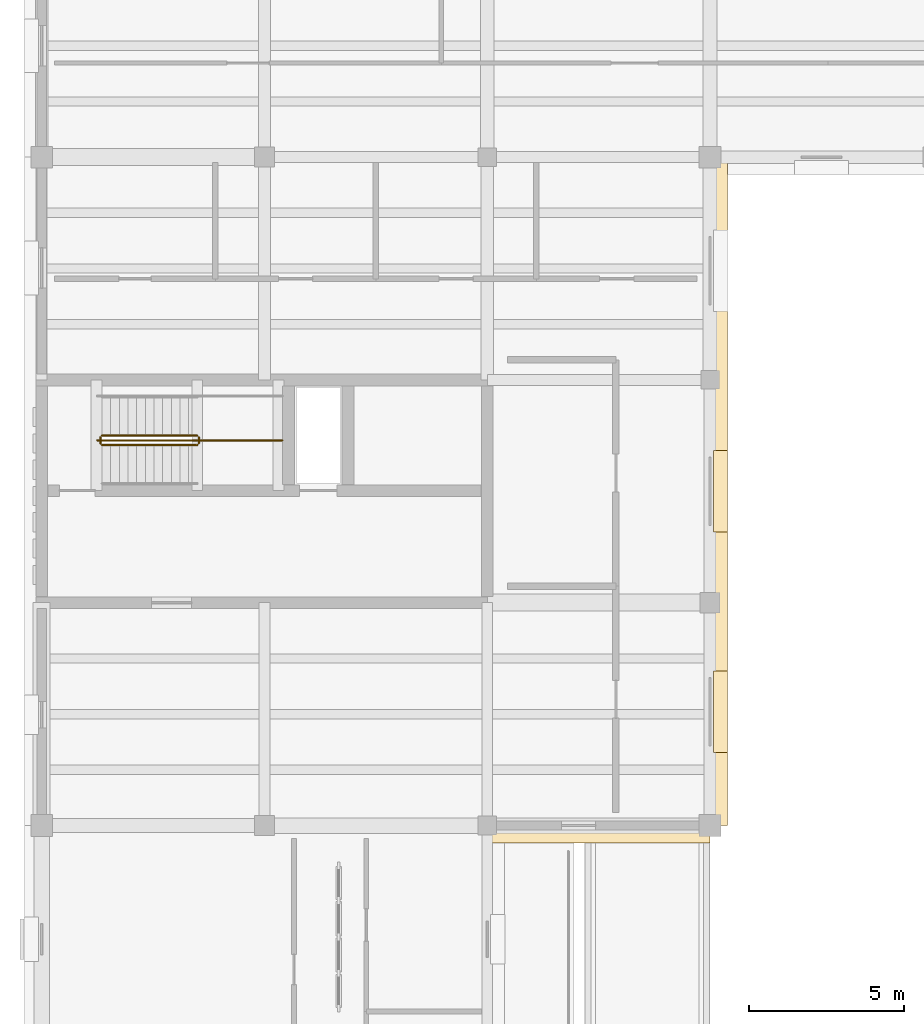
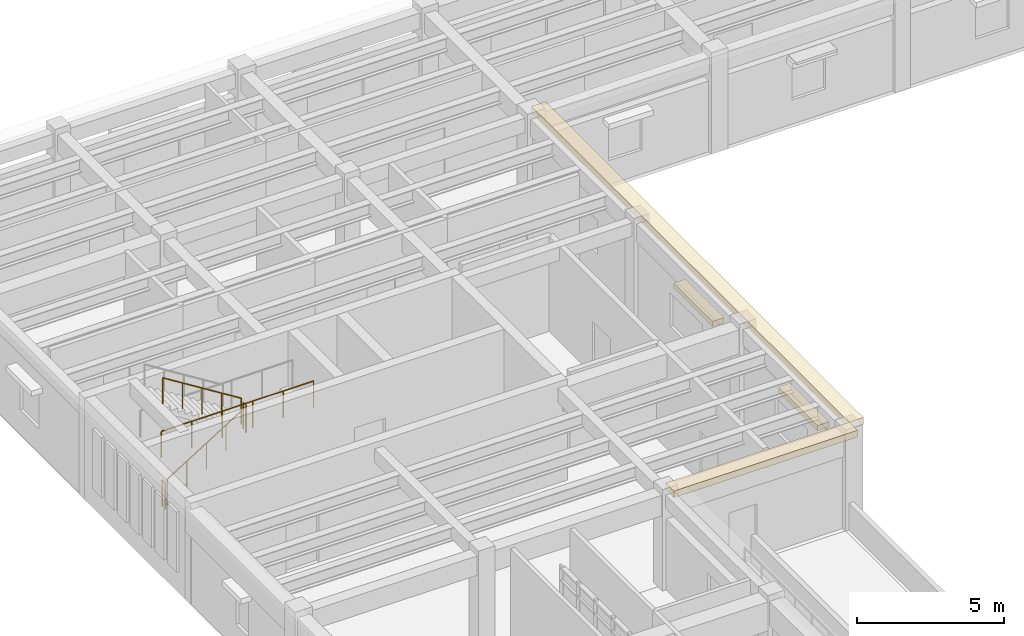
# One storey, part 34 of 40: 5 railings, 4 coverings.
"""IFC4 building model written with IfcOpenShell, lengths in metres."""

from ifc_helpers import new_model, si_unit, direction, frame, origin, origin_2d, place, context, subcontext, project, spatial, rectangle, circle, extrude, material, layer, layer_set, type_object, element, save


model = new_model("IFC4")

# Units and contexts
model_context = context("Model", 3, precision=1e-05, world=origin(), true_north=direction((0.0, 1.0)))
body_context = subcontext(model_context, "Body", "Model", "MODEL_VIEW")
ifc_project = project(units=[si_unit("LENGTHUNIT", "METRE"), si_unit("AREAUNIT", "SQUARE_METRE"), si_unit("VOLUMEUNIT", "CUBIC_METRE"), si_unit("PLANEANGLEUNIT", "RADIAN"), si_unit("MASSUNIT", "GRAM", prefix="KILO")], contexts=[model_context])

# Site, building, storey
site_placement = place(None, origin())
site = spatial("IfcSite", under=ifc_project, at=site_placement, CompositionType="ELEMENT")
building_placement = place(site_placement, origin())
building = spatial("IfcBuilding", under=site, at=building_placement, Name="Mithqara Police Headquarters", CompositionType="ELEMENT")
storey_placement = place(building_placement, frame((0.0, 0.0, 13.800048828125)))
storey = spatial("IfcBuildingStorey", under=building, at=storey_placement, Name="L03", CompositionType="ELEMENT", Elevation=13.800048828125)

# Coverings
ifc_material_1 = material(Name="Limestone ashlar masonry, 45 MPa", Category="masonry")
ifc_layer_1 = layer(ifc_material_1, 0.320068359375, Name="Limestone ashlar masonry, 45 MPa")
ifc_layer_set_1 = layer_set([ifc_layer_1], Name="Limestone ashlar masonry, 45 MPa")
covering_type_1 = type_object("IfcCoveringType", Name="CORNICE LIMESTONE", PredefinedType="CLADDING", material=ifc_layer_set_1)
covering_1_placement = place(storey_placement, frame((25.800048828125, 56.719970703125, 3.919921875), z_axis=(0.0, 0.0, 1.0), x_axis=(1.0, 0.0, 0.0)))
element("IfcCovering", 1, at=covering_1_placement, inside=storey, type_object=covering_type_1, Name="L03 Projecting Ottoman Limestone Eaves Cornice 3", PredefinedType="CLADDING", context=body_context, shape_type="SweptSolid", body=[
    extrude(rectangle(XDim=7.199951171875, YDim=0.56005859375, at=origin_2d()), origin(), (0.0, 0.0, 1.0), 0.280029296875),
])
covering_2_placement = place(storey_placement, frame((29.679931640625, 67.800048828125, 3.919921875), z_axis=(0.0, 0.0, 1.0), x_axis=(0.0, 1.0, 0.0)))
element("IfcCovering", 2, at=covering_2_placement, inside=storey, type_object=covering_type_1, Name="L03 Projecting Ottoman Limestone Eaves Cornice 4", PredefinedType="CLADDING", context=body_context, shape_type="SweptSolid", body=[
    extrude(rectangle(XDim=21.60009765625, YDim=0.56005859375, at=origin_2d()), origin(), (0.0, 0.0, 1.0), 0.280029296875),
])

# Railings
ifc_material_2 = material(Name="Steel S355JR", Category="steel")
railing_type = type_object("IfcRailingType", Name="STAIR GUARD 1120", PredefinedType="GUARDRAIL", material=ifc_material_2)
railing_1_placement = place(storey_placement, frame((9.75, 69.300048828125, 0.175048828125)))
element("IfcRailing", 3, at=railing_1_placement, inside=storey, type_object=railing_type, Name="L03 ST-03 stair guard 1", PredefinedType="GUARDRAIL", context=body_context, shape_type="SweptSolid", body=[
    extrude(circle(Radius=0.02392578125, at=origin_2d()), frame((0.0, 0.0, 1.076171875), z_axis=(0.848028513186, 0.0, 0.529950602248), x_axis=(0.0, 1.0, 0.0)), (0.0, 0.0, 1.0), 3.632080078125),
    extrude(circle(Radius=0.02099609375, at=origin_2d()), origin(), (0.0, 0.0, 1.0), 1.052001953125),
    extrude(circle(Radius=0.02099609375, at=origin_2d()), frame((0.77001953125, 0.0, 0.481201171875)), (0.0, 0.0, 1.0), 1.052001953125),
    extrude(circle(Radius=0.02099609375, at=origin_2d()), frame((1.5400390625, 0.0, 0.96240234375)), (0.0, 0.0, 1.0), 1.052001953125),
    extrude(circle(Radius=0.02099609375, at=origin_2d()), frame((2.31005859375, 0.0, 1.443603515625)), (0.0, 0.0, 1.0), 1.052001953125),
    extrude(circle(Radius=0.02099609375, at=origin_2d()), frame((3.080078125, 0.0, 1.9248046875)), (0.0, 0.0, 1.0), 1.052001953125),
])
railing_2_placement = place(storey_placement, frame((12.8798828125, 69.35009765625, 2.099853515625)))
element("IfcRailing", 4, at=railing_2_placement, inside=storey, type_object=railing_type, Name="L03 ST-03 stair guard 2", PredefinedType="GUARDRAIL", context=body_context, shape_type="SweptSolid", body=[
    extrude(circle(Radius=0.02392578125, at=origin_2d()), frame((0.0, 0.0, 1.076171875), z_axis=(0.0, 1.0, 0.0), x_axis=(-1.0, 0.0, 0.0)), (0.0, 0.0, 1.0), 0.199951171875),
    extrude(circle(Radius=0.02099609375, at=origin_2d()), origin(), (0.0, 0.0, 1.0), 1.052001953125),
    extrude(circle(Radius=0.02099609375, at=origin_2d()), frame((0.0, 0.199951171875, 0.0)), (0.0, 0.0, 1.0), 1.052001953125),
])
railing_3_placement = place(storey_placement, frame((12.830078125, 69.60009765625, 2.27490234375)))
element("IfcRailing", 5, at=railing_3_placement, inside=storey, type_object=railing_type, Name="L03 ST-03 stair guard 3", PredefinedType="GUARDRAIL", context=body_context, shape_type="SweptSolid", body=[
    extrude(circle(Radius=0.02392578125, at=origin_2d()), frame((0.0, 0.0, 1.076171875), z_axis=(-0.847998304005, 0.0, 0.529998940003), x_axis=(0.0, -1.0, 0.0)), (0.0, 0.0, 1.0), 3.632080078125),
    extrude(circle(Radius=0.02099609375, at=origin_2d()), origin(), (0.0, 0.0, 1.0), 1.052001953125),
    extrude(circle(Radius=0.02099609375, at=origin_2d()), frame((-0.77001953125, 0.0, 0.481201171875)), (0.0, 0.0, 1.0), 1.052001953125),
    extrude(circle(Radius=0.02099609375, at=origin_2d()), frame((-1.5400390625, 0.0, 0.96240234375)), (0.0, 0.0, 1.0), 1.052001953125),
    extrude(circle(Radius=0.02099609375, at=origin_2d()), frame((-2.31005859375, 0.0, 1.44384765625)), (0.0, 0.0, 1.0), 1.052001953125),
    extrude(circle(Radius=0.02099609375, at=origin_2d()), frame((-3.080078125, 0.0, 1.925048828125)), (0.0, 0.0, 1.0), 1.052001953125),
])
railing_4_placement = place(storey_placement, frame((9.699951171875, 69.35009765625, 0.0)))
element("IfcRailing", 6, at=railing_4_placement, inside=storey, type_object=railing_type, Name="L03 ST-03 stair guard 4", PredefinedType="GUARDRAIL", context=body_context, shape_type="SweptSolid", body=[
    extrude(circle(Radius=0.02392578125, at=origin_2d()), frame((0.0, 0.0, 1.076171875), z_axis=(0.0, 1.0, 0.0), x_axis=(-1.0, 0.0, 0.0)), (0.0, 0.0, 1.0), 0.199951171875),
    extrude(circle(Radius=0.02099609375, at=origin_2d()), origin(), (0.0, 0.0, 1.0), 1.052001953125),
    extrude(circle(Radius=0.02099609375, at=origin_2d()), frame((0.0, 0.199951171875, 0.0)), (0.0, 0.0, 1.0), 1.052001953125),
])
railing_5_placement = place(storey_placement, frame((9.60009765625, 69.449951171875, 2.099853515625)))
element("IfcRailing", 7, at=railing_5_placement, inside=storey, type_object=railing_type, Name="L03 ST-03 Half-Landing Guard IN", PredefinedType="GUARDRAIL", context=body_context, shape_type="SweptSolid", body=[
    extrude(circle(Radius=0.02392578125, at=origin_2d()), frame((0.0, 0.0, 1.09619140625), z_axis=(1.0, 0.0, 0.0), x_axis=(0.0, 1.0, 0.0)), (0.0, 0.0, 1.0), 5.97998046875),
    extrude(circle(Radius=0.02099609375, at=origin_2d()), origin(), (0.0, 0.0, 1.0), 1.072021484375),
    extrude(circle(Radius=0.02099609375, at=origin_2d()), frame((1.196044921875, 0.0, 0.0)), (0.0, 0.0, 1.0), 1.072021484375),
    extrude(circle(Radius=0.02099609375, at=origin_2d()), frame((2.39208984375, 0.0, 0.0)), (0.0, 0.0, 1.0), 1.072021484375),
    extrude(circle(Radius=0.02099609375, at=origin_2d()), frame((3.587890625, 0.0, 0.0)), (0.0, 0.0, 1.0), 1.072021484375),
    extrude(circle(Radius=0.02099609375, at=origin_2d()), frame((4.783935546875, 0.0, 0.0)), (0.0, 0.0, 1.0), 1.072021484375),
    extrude(circle(Radius=0.02099609375, at=origin_2d()), frame((5.97998046875, 0.0, 0.0)), (0.0, 0.0, 1.0), 1.072021484375),
])

# Coverings
ifc_layer_2 = layer(ifc_material_1, 0.239990234375, Name="Limestone ashlar masonry, 45 MPa")
ifc_layer_set_2 = layer_set([ifc_layer_2], Name="Limestone ashlar masonry, 45 MPa")
covering_type_2 = type_object("IfcCoveringType", Name="WINDOW HOOD LIMESTONE", PredefinedType="CLADDING", material=ifc_layer_set_2)
for number, where, z_axis, x_axis, name in (
    (8, (29.739990234375, 60.675048828125, 2.3701171875), (0.0, 0.0, 1.0), (0.0, 1.0, 0.0), "L03 Limestone Window Architrave Hood 4.1"),
    (9, (29.739990234375, 67.800048828125, 2.3701171875), (0.0, 0.0, 1.0), (0.0, 1.0, 0.0), "L03 Limestone Window Architrave Hood 4.2"),
):
    element("IfcCovering", number, at=place(storey_placement, frame(where, z_axis=z_axis, x_axis=x_axis)), inside=storey, type_object=covering_type_2, Name=name, PredefinedType="CLADDING", context=body_context, shape_type="SweptSolid", body=[
        extrude(rectangle(XDim=2.639892578125, YDim=0.4599609375, at=origin_2d()), origin(), (0.0, 0.0, 1.0), 0.219970703125),
    ])

save(model, "model.ifc")
